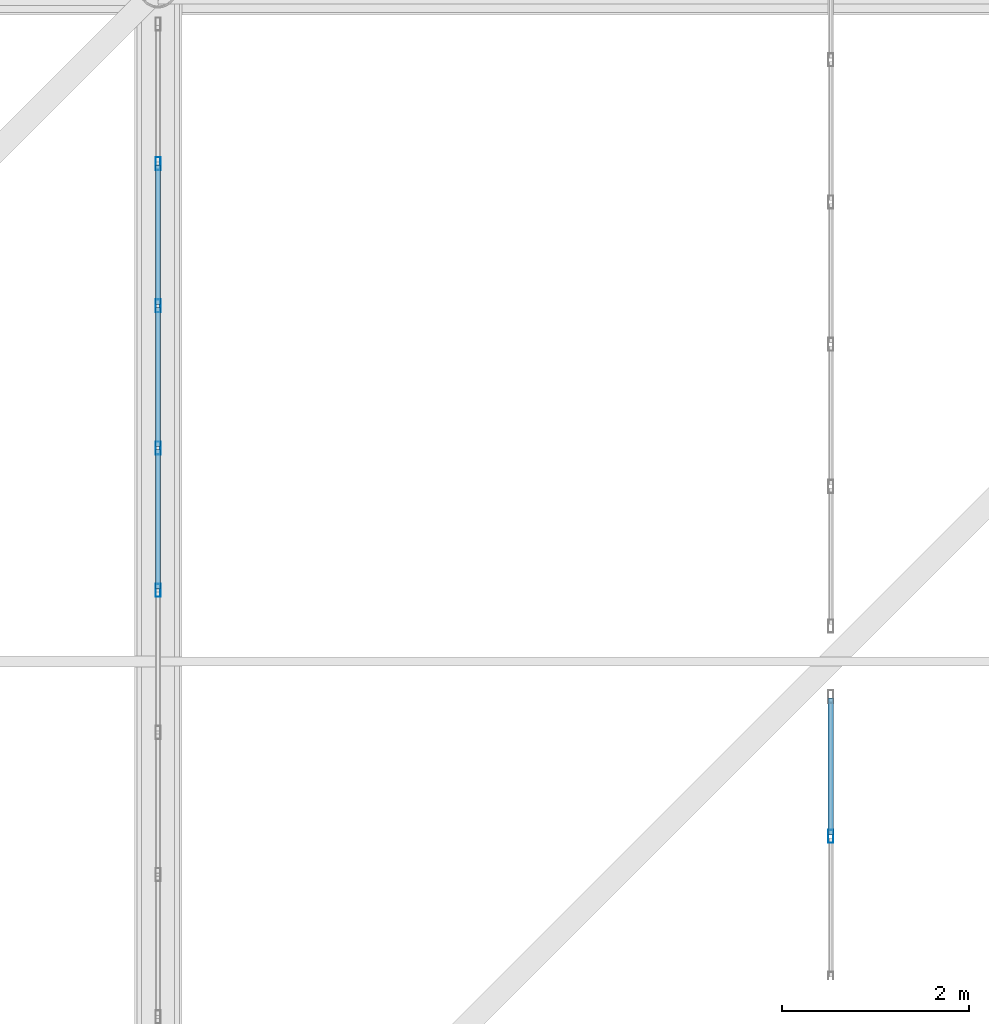
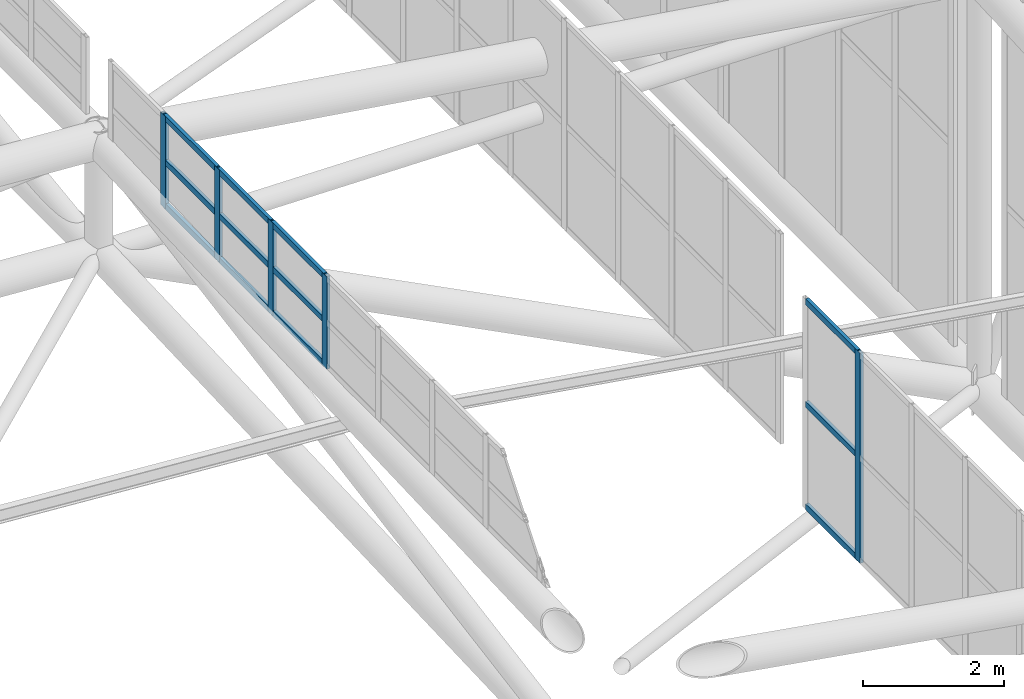
# One storey, part 159 of 397: 17 members, 2 elements without a shape of their own.
"""IFC4 building model written with IfcOpenShell, lengths in metres."""

from ifc_helpers import new_model, si_unit, direction, frame, origin, origin_2d, place, context, subcontext, project, spatial, hollow_rectangle, extrude, material, material_profile, profile_set, type_object, element, aggregate, save


model = new_model("IFC4")

# Units and contexts
model_context = context("Model", 3, precision=1e-05, world=origin(), true_north=direction((0.0, 1.0)))
body_context = subcontext(model_context, "Body", "Model", "MODEL_VIEW")
ifc_project = project(units=[si_unit("LENGTHUNIT", "METRE"), si_unit("AREAUNIT", "SQUARE_METRE"), si_unit("VOLUMEUNIT", "CUBIC_METRE"), si_unit("PLANEANGLEUNIT", "RADIAN"), si_unit("MASSUNIT", "GRAM", prefix="KILO")], contexts=[model_context])

# Site, building, storey
site_placement = place(None, origin())
site = spatial("IfcSite", under=ifc_project, at=site_placement, CompositionType="ELEMENT")
building_placement = place(site_placement, origin())
building = spatial("IfcBuilding", under=site, at=building_placement, Name="Qandorah Velis Arena", CompositionType="ELEMENT")
storey_placement = place(building_placement, frame((0.0, 0.0, 27.5)))
storey = spatial("IfcBuildingStorey", under=building, at=storey_placement, Name="RF", CompositionType="ELEMENT", Elevation=27.5)

# Curtain wall, member
ifc_material_1 = material(Name="Solar-control low-E double glazing", Category="glass")
curtain_wall_type_1 = type_object("IfcCurtainWallType", Name="ARC-CW-SYS14", PredefinedType="USERDEFINED", material=ifc_material_1)
curtain_wall_1_placement = place(storey_placement, origin())
curtain_wall_1 = element("IfcCurtainWall", 1, at=curtain_wall_1_placement, inside=storey, type_object=curtain_wall_type_1, Name="Unitised curtain wall MON-2-2", ObjectType="UNITISED CURTAIN WALL", PredefinedType="USERDEFINED")
ifc_material_2 = material(Name="Champagne-bronze anodized aluminium 6063-T6", Category="aluminium")
ifc_material_profile_1 = material_profile(ifc_material_2, hollow_rectangle(XDim=0.054931640625, YDim=0.139892578125, WallThickness=0.0029296875, at=origin_2d()), Name="ALU MULLION 55x140")
ifc_profile_set_1 = profile_set([ifc_material_profile_1], Name="Champagne-bronze anodized aluminium 6063-T6")
member_type_1 = type_object("IfcMemberType", Name="ARC-CWM-140", PredefinedType="MULLION", material=ifc_profile_set_1)
member_1_placement = place(storey_placement, frame((108.0, 48.52783203125, 5.13427734375), z_axis=(0.0, 0.0, 1.0), x_axis=(-1.0, 0.0, 0.0)))
member_1 = element("IfcMember", 2, at=member_1_placement, type_object=member_type_1, Name="CW14 mullion 9", PredefinedType="MULLION", context=body_context, shape_type="SweptSolid", body=[
    extrude(hollow_rectangle(XDim=0.054931640625, YDim=0.139892578125, WallThickness=0.0029296875, at=origin_2d()), origin(), (0.0, 0.0, 1.0), 3.630126953125),
])

# Curtain wall, members
curtain_wall_type_2 = type_object("IfcCurtainWallType", Name="ARC-CW-SYS12", PredefinedType="USERDEFINED", material=ifc_material_1)
curtain_wall_2_placement = place(storey_placement, origin())
curtain_wall_2 = element("IfcCurtainWall", 3, at=curtain_wall_2_placement, inside=storey, type_object=curtain_wall_type_2, Name="Unitised curtain wall OCULUS-2-2", ObjectType="UNITISED CURTAIN WALL", PredefinedType="USERDEFINED")
member_2_placement = place(storey_placement, frame((100.800048828125, 51.1611328125, 9.41259765625), z_axis=(0.0, 0.0, 1.0), x_axis=(-1.0, 0.0, 0.0)))
member_2 = element("IfcMember", 4, at=member_2_placement, type_object=member_type_1, Name="CW12 mullion 6", PredefinedType="MULLION", context=body_context, shape_type="SweptSolid", body=[
    extrude(hollow_rectangle(XDim=0.054931640625, YDim=0.139892578125, WallThickness=0.0029296875, at=origin_2d()), origin(), (0.0, 0.0, 1.0), 1.602294921875),
])
member_3_placement = place(storey_placement, frame((100.800048828125, 52.683349609375, 9.41259765625), z_axis=(0.0, 0.0, 1.0), x_axis=(-1.0, 0.0, 0.0)))
member_3 = element("IfcMember", 5, at=member_3_placement, type_object=member_type_1, Name="CW12 mullion 7", PredefinedType="MULLION", context=body_context, shape_type="SweptSolid", body=[
    extrude(hollow_rectangle(XDim=0.054931640625, YDim=0.139892578125, WallThickness=0.0029296875, at=origin_2d()), origin(), (0.0, 0.0, 1.0), 1.602294921875),
])
member_4_placement = place(storey_placement, frame((100.800048828125, 54.20556640625, 9.41259765625), z_axis=(0.0, 0.0, 1.0), x_axis=(-1.0, 0.0, 0.0)))
member_4 = element("IfcMember", 6, at=member_4_placement, type_object=member_type_1, Name="CW12 mullion 8", PredefinedType="MULLION", context=body_context, shape_type="SweptSolid", body=[
    extrude(hollow_rectangle(XDim=0.054931640625, YDim=0.139892578125, WallThickness=0.0029296875, at=origin_2d()), origin(), (0.0, 0.0, 1.0), 1.602294921875),
])
member_5_placement = place(storey_placement, frame((100.800048828125, 55.727783203125, 9.41259765625), z_axis=(0.0, 0.0, 1.0), x_axis=(-1.0, 0.0, 0.0)))
member_5 = element("IfcMember", 7, at=member_5_placement, type_object=member_type_1, Name="CW12 mullion 9", PredefinedType="MULLION", context=body_context, shape_type="SweptSolid", body=[
    extrude(hollow_rectangle(XDim=0.054931640625, YDim=0.139892578125, WallThickness=0.0029296875, at=origin_2d()), origin(), (0.0, 0.0, 1.0), 1.602294921875),
])

# Member
ifc_material_profile_2 = material_profile(ifc_material_2, hollow_rectangle(XDim=0.054931640625, YDim=0.10009765625, WallThickness=0.0029296875, at=origin_2d()), Name="ALU TRANSOM 55x100")
ifc_profile_set_2 = profile_set([ifc_material_profile_2], Name="Champagne-bronze anodized aluminium 6063-T6")
member_type_2 = type_object("IfcMemberType", Name="ARC-CWT-100", PredefinedType="USERDEFINED", material=ifc_profile_set_2)
member_6_placement = place(storey_placement, frame((108.0, 48.543212890625, 5.1767578125), z_axis=(0.0, 1.0, 0.0), x_axis=(-1.0, 0.0, 0.0)))
member_6 = element("IfcMember", 8, at=member_6_placement, type_object=member_type_2, Name="CW14 transom 9.1", ObjectType="TRANSOM", PredefinedType="USERDEFINED", context=body_context, shape_type="SweptSolid", body=[
    extrude(hollow_rectangle(XDim=0.054931640625, YDim=0.10009765625, WallThickness=0.0029296875, at=origin_2d()), origin(), (0.0, 0.0, 1.0), 1.4638671875),
])

member_7_placement = place(storey_placement, frame((108.0, 48.543212890625, 6.94921875), z_axis=(0.0, 1.0, 0.0), x_axis=(-1.0, 0.0, 0.0)))
member_7 = element("IfcMember", 9, at=member_7_placement, type_object=member_type_2, Name="CW14 transom 9.2", ObjectType="TRANSOM", PredefinedType="USERDEFINED", context=body_context, shape_type="SweptSolid", body=[
    extrude(hollow_rectangle(XDim=0.054931640625, YDim=0.10009765625, WallThickness=0.0029296875, at=origin_2d()), origin(), (0.0, 0.0, 1.0), 1.4638671875),
])

member_8_placement = place(storey_placement, frame((108.0, 48.543212890625, 8.7216796875), z_axis=(0.0, 1.0, 0.0), x_axis=(-1.0, 0.0, 0.0)))
member_8 = element("IfcMember", 10, at=member_8_placement, type_object=member_type_2, Name="CW14 transom 9.3", ObjectType="TRANSOM", PredefinedType="USERDEFINED", context=body_context, shape_type="SweptSolid", body=[
    extrude(hollow_rectangle(XDim=0.054931640625, YDim=0.10009765625, WallThickness=0.0029296875, at=origin_2d()), origin(), (0.0, 0.0, 1.0), 1.4638671875),
])

aggregate(curtain_wall_1, [member_1, member_6, member_7, member_8])

member_9_placement = place(storey_placement, frame((100.800048828125, 51.176513671875, 9.455078125), z_axis=(0.0, 1.0, 0.0), x_axis=(-1.0, 0.0, 0.0)))
member_9 = element("IfcMember", 11, at=member_9_placement, type_object=member_type_2, Name="CW12 transom 6.1", ObjectType="TRANSOM", PredefinedType="USERDEFINED", context=body_context, shape_type="SweptSolid", body=[
    extrude(hollow_rectangle(XDim=0.054931640625, YDim=0.10009765625, WallThickness=0.0029296875, at=origin_2d()), origin(), (0.0, 0.0, 1.0), 1.4912109375),
])

member_10_placement = place(storey_placement, frame((100.800048828125, 51.176513671875, 10.2138671875), z_axis=(0.0, 1.0, 0.0), x_axis=(-1.0, 0.0, 0.0)))
member_10 = element("IfcMember", 12, at=member_10_placement, type_object=member_type_2, Name="CW12 transom 6.2", ObjectType="TRANSOM", PredefinedType="USERDEFINED", context=body_context, shape_type="SweptSolid", body=[
    extrude(hollow_rectangle(XDim=0.054931640625, YDim=0.10009765625, WallThickness=0.0029296875, at=origin_2d()), origin(), (0.0, 0.0, 1.0), 1.4912109375),
])

member_11_placement = place(storey_placement, frame((100.800048828125, 51.176513671875, 10.972412109375), z_axis=(0.0, 1.0, 0.0), x_axis=(-1.0, 0.0, 0.0)))
member_11 = element("IfcMember", 13, at=member_11_placement, type_object=member_type_2, Name="CW12 transom 6.3", ObjectType="TRANSOM", PredefinedType="USERDEFINED", context=body_context, shape_type="SweptSolid", body=[
    extrude(hollow_rectangle(XDim=0.054931640625, YDim=0.10009765625, WallThickness=0.0029296875, at=origin_2d()), origin(), (0.0, 0.0, 1.0), 1.4912109375),
])

member_12_placement = place(storey_placement, frame((100.800048828125, 52.69873046875, 9.455078125), z_axis=(0.0, 1.0, 0.0), x_axis=(-1.0, 0.0, 0.0)))
member_12 = element("IfcMember", 14, at=member_12_placement, type_object=member_type_2, Name="CW12 transom 7.1", ObjectType="TRANSOM", PredefinedType="USERDEFINED", context=body_context, shape_type="SweptSolid", body=[
    extrude(hollow_rectangle(XDim=0.054931640625, YDim=0.10009765625, WallThickness=0.0029296875, at=origin_2d()), origin(), (0.0, 0.0, 1.0), 1.491455078125),
])

member_13_placement = place(storey_placement, frame((100.800048828125, 52.69873046875, 10.2138671875), z_axis=(0.0, 1.0, 0.0), x_axis=(-1.0, 0.0, 0.0)))
member_13 = element("IfcMember", 15, at=member_13_placement, type_object=member_type_2, Name="CW12 transom 7.2", ObjectType="TRANSOM", PredefinedType="USERDEFINED", context=body_context, shape_type="SweptSolid", body=[
    extrude(hollow_rectangle(XDim=0.054931640625, YDim=0.10009765625, WallThickness=0.0029296875, at=origin_2d()), origin(), (0.0, 0.0, 1.0), 1.491455078125),
])

member_14_placement = place(storey_placement, frame((100.800048828125, 52.69873046875, 10.972412109375), z_axis=(0.0, 1.0, 0.0), x_axis=(-1.0, 0.0, 0.0)))
member_14 = element("IfcMember", 16, at=member_14_placement, type_object=member_type_2, Name="CW12 transom 7.3", ObjectType="TRANSOM", PredefinedType="USERDEFINED", context=body_context, shape_type="SweptSolid", body=[
    extrude(hollow_rectangle(XDim=0.054931640625, YDim=0.10009765625, WallThickness=0.0029296875, at=origin_2d()), origin(), (0.0, 0.0, 1.0), 1.491455078125),
])

member_15_placement = place(storey_placement, frame((100.800048828125, 54.22119140625, 9.455078125), z_axis=(0.0, 1.0, 0.0), x_axis=(-1.0, 0.0, 0.0)))
member_15 = element("IfcMember", 17, at=member_15_placement, type_object=member_type_2, Name="CW12 transom 8.1", ObjectType="TRANSOM", PredefinedType="USERDEFINED", context=body_context, shape_type="SweptSolid", body=[
    extrude(hollow_rectangle(XDim=0.054931640625, YDim=0.10009765625, WallThickness=0.0029296875, at=origin_2d()), origin(), (0.0, 0.0, 1.0), 1.4912109375),
])

member_16_placement = place(storey_placement, frame((100.800048828125, 54.22119140625, 10.2138671875), z_axis=(0.0, 1.0, 0.0), x_axis=(-1.0, 0.0, 0.0)))
member_16 = element("IfcMember", 18, at=member_16_placement, type_object=member_type_2, Name="CW12 transom 8.2", ObjectType="TRANSOM", PredefinedType="USERDEFINED", context=body_context, shape_type="SweptSolid", body=[
    extrude(hollow_rectangle(XDim=0.054931640625, YDim=0.10009765625, WallThickness=0.0029296875, at=origin_2d()), origin(), (0.0, 0.0, 1.0), 1.4912109375),
])

member_17_placement = place(storey_placement, frame((100.800048828125, 54.22119140625, 10.972412109375), z_axis=(0.0, 1.0, 0.0), x_axis=(-1.0, 0.0, 0.0)))
member_17 = element("IfcMember", 19, at=member_17_placement, type_object=member_type_2, Name="CW12 transom 8.3", ObjectType="TRANSOM", PredefinedType="USERDEFINED", context=body_context, shape_type="SweptSolid", body=[
    extrude(hollow_rectangle(XDim=0.054931640625, YDim=0.10009765625, WallThickness=0.0029296875, at=origin_2d()), origin(), (0.0, 0.0, 1.0), 1.4912109375),
])

aggregate(curtain_wall_2, [member_2, member_3, member_4, member_5, member_9, member_10, member_11, member_12, member_13, member_14, member_15, member_16, member_17])

save(model, "model.ifc")
